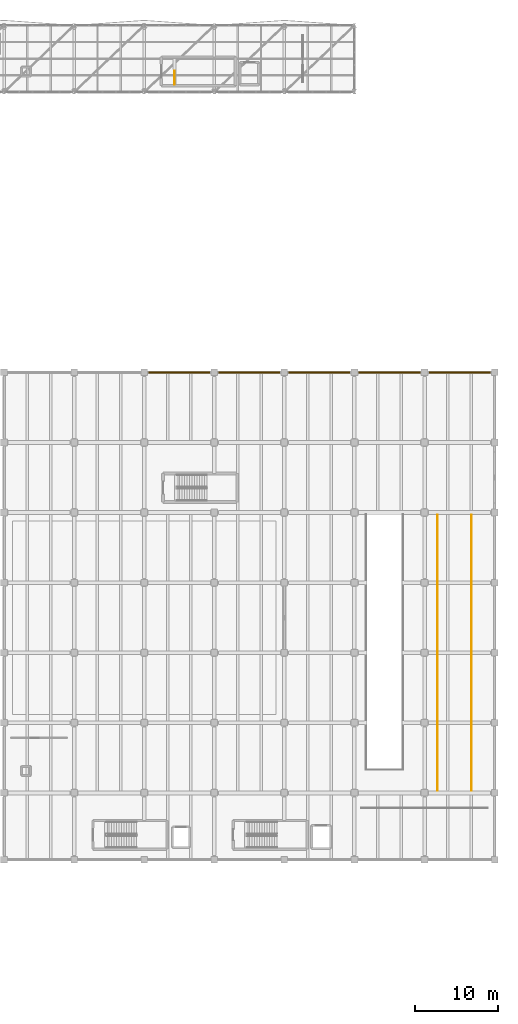
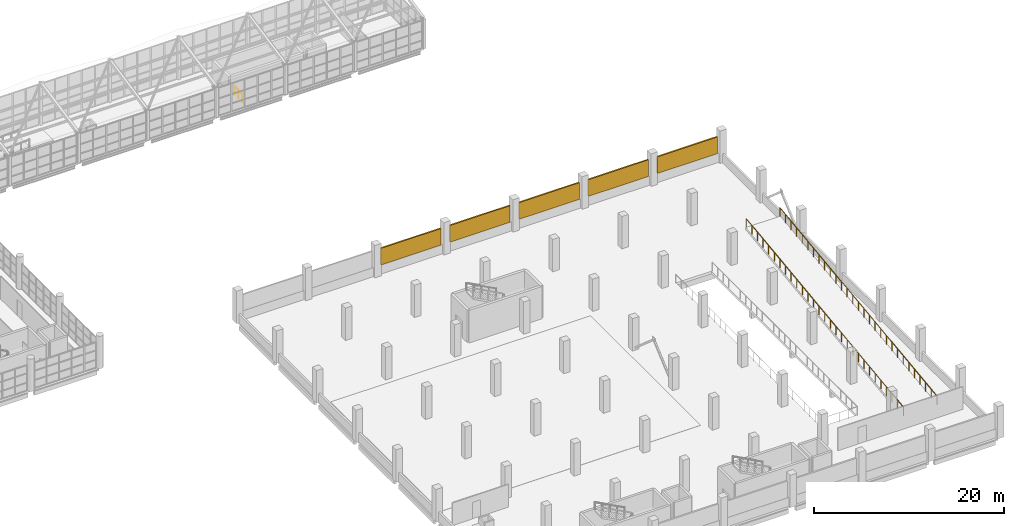
# One storey, part 177 of 177: 5 shading devices, 3 railings.
"""IFC4 building model written with IfcOpenShell, lengths in metres."""

from ifc_helpers import new_model, si_unit, direction, frame, origin, origin_2d, place, context, subcontext, project, spatial, rectangle, circle, extrude, material, type_object, element, save


model = new_model("IFC4")

# Units and contexts
model_context = context("Model", 3, precision=1e-05, world=origin(), true_north=direction((0.0, 1.0)))
body_context = subcontext(model_context, "Body", "Model", "MODEL_VIEW")
ifc_project = project(units=[si_unit("LENGTHUNIT", "METRE"), si_unit("AREAUNIT", "SQUARE_METRE"), si_unit("VOLUMEUNIT", "CUBIC_METRE"), si_unit("PLANEANGLEUNIT", "RADIAN"), si_unit("MASSUNIT", "GRAM", prefix="KILO"), si_unit("THERMODYNAMICTEMPERATUREUNIT", "KELVIN"), si_unit("POWERUNIT", "WATT")], contexts=[model_context])

# Site, building, storey
site_placement = place(None, origin())
site = spatial("IfcSite", under=ifc_project, at=site_placement, CompositionType="ELEMENT")
building_placement = place(site_placement, origin())
building = spatial("IfcBuilding", under=site, at=building_placement, Name="Mavoryth Pier Ferry Terminal", CompositionType="ELEMENT")
storey_placement = place(building_placement, frame((0.0, 0.0, 5.43994140625)))
storey = spatial("IfcBuildingStorey", under=building, at=storey_placement, Name="L01", CompositionType="ELEMENT", Elevation=5.43994140625)

# Railings
ifc_material_1 = material(Name="Galvanised Steel Vehicle-Deck Edge Guardrail", Category="steel")
railing_type_1 = type_object("IfcRailingType", Name="Guard-Deck-Heavy1140", PredefinedType="GUARDRAIL", material=ifc_material_1)
railing_1_placement = place(storey_placement, frame((165.239990234375, 22.260009765625, 0.0)))
element("IfcRailing", 1, at=railing_1_placement, inside=storey, type_object=railing_type_1, Name="Ramp VR02 Rail", PredefinedType="GUARDRAIL", context=body_context, shape_type="SweptSolid", body=[
    extrude(circle(Radius=0.02392578125, at=origin_2d()), frame((0.0, 0.0, 1.11572265625), z_axis=(0.0, 0.99218477062, 0.124777325466), x_axis=(-1.0, 0.0, 0.0)), (0.0, 0.0, 1.0), 33.340576171875),
    extrude(circle(Radius=0.02099609375, at=origin_2d()), origin(), (0.0, 0.0, 1.0), 1.091796875),
    extrude(circle(Radius=0.02099609375, at=origin_2d()), frame((0.0, 1.181396484375, 0.148681640625)), (0.0, 0.0, 1.0), 1.091796875),
    extrude(circle(Radius=0.02099609375, at=origin_2d()), frame((0.0, 2.36279296875, 0.297119140625)), (0.0, 0.0, 1.0), 1.091796875),
    extrude(circle(Radius=0.02099609375, at=origin_2d()), frame((0.0, 3.544189453125, 0.44580078125)), (0.0, 0.0, 1.0), 1.091796875),
    extrude(circle(Radius=0.02099609375, at=origin_2d()), frame((0.0, 4.725830078125, 0.59423828125)), (0.0, 0.0, 1.0), 1.091796875),
    extrude(circle(Radius=0.02099609375, at=origin_2d()), frame((0.0, 5.9072265625, 0.742919921875)), (0.0, 0.0, 1.0), 1.091796875),
    extrude(circle(Radius=0.02099609375, at=origin_2d()), frame((0.0, 7.088623046875, 0.891357421875)), (0.0, 0.0, 1.0), 1.091796875),
    extrude(circle(Radius=0.02099609375, at=origin_2d()), frame((0.0, 8.27001953125, 1.0400390625)), (0.0, 0.0, 1.0), 1.091796875),
    extrude(circle(Radius=0.02099609375, at=origin_2d()), frame((0.0, 9.451416015625, 1.188720703125)), (0.0, 0.0, 1.0), 1.091796875),
    extrude(circle(Radius=0.02099609375, at=origin_2d()), frame((0.0, 10.6328125, 1.337158203125)), (0.0, 0.0, 1.0), 1.091796875),
    extrude(circle(Radius=0.02099609375, at=origin_2d()), frame((0.0, 11.814208984375, 1.48583984375)), (0.0, 0.0, 1.0), 1.091796875),
    extrude(circle(Radius=0.02099609375, at=origin_2d()), frame((0.0, 12.995849609375, 1.63427734375)), (0.0, 0.0, 1.0), 1.091796875),
    extrude(circle(Radius=0.02099609375, at=origin_2d()), frame((0.0, 14.17724609375, 1.782958984375)), (0.0, 0.0, 1.0), 1.091796875),
    extrude(circle(Radius=0.02099609375, at=origin_2d()), frame((0.0, 15.358642578125, 1.931396484375)), (0.0, 0.0, 1.0), 1.091796875),
    extrude(circle(Radius=0.02099609375, at=origin_2d()), frame((0.0, 16.5400390625, 2.080078125)), (0.0, 0.0, 1.0), 1.091796875),
    extrude(circle(Radius=0.02099609375, at=origin_2d()), frame((0.0, 17.721435546875, 2.228759765625)), (0.0, 0.0, 1.0), 1.091796875),
    extrude(circle(Radius=0.02099609375, at=origin_2d()), frame((0.0, 18.90283203125, 2.377197265625)), (0.0, 0.0, 1.0), 1.091796875),
    extrude(circle(Radius=0.02099609375, at=origin_2d()), frame((0.0, 20.084228515625, 2.52587890625)), (0.0, 0.0, 1.0), 1.091796875),
    extrude(circle(Radius=0.02099609375, at=origin_2d()), frame((0.0, 21.265869140625, 2.67431640625)), (0.0, 0.0, 1.0), 1.091796875),
    extrude(circle(Radius=0.02099609375, at=origin_2d()), frame((0.0, 22.447265625, 2.822998046875)), (0.0, 0.0, 1.0), 1.091796875),
    extrude(circle(Radius=0.02099609375, at=origin_2d()), frame((0.0, 23.628662109375, 2.971435546875)), (0.0, 0.0, 1.0), 1.091796875),
    extrude(circle(Radius=0.02099609375, at=origin_2d()), frame((0.0, 24.81005859375, 3.1201171875)), (0.0, 0.0, 1.0), 1.091796875),
    extrude(circle(Radius=0.02099609375, at=origin_2d()), frame((0.0, 25.991455078125, 3.268798828125)), (0.0, 0.0, 1.0), 1.091796875),
    extrude(circle(Radius=0.02099609375, at=origin_2d()), frame((0.0, 27.1728515625, 3.417236328125)), (0.0, 0.0, 1.0), 1.091796875),
    extrude(circle(Radius=0.02099609375, at=origin_2d()), frame((0.0, 28.354248046875, 3.56591796875)), (0.0, 0.0, 1.0), 1.091796875),
    extrude(circle(Radius=0.02099609375, at=origin_2d()), frame((0.0, 29.535888671875, 3.71435546875)), (0.0, 0.0, 1.0), 1.091796875),
    extrude(circle(Radius=0.02099609375, at=origin_2d()), frame((0.0, 30.71728515625, 3.863037109375)), (0.0, 0.0, 1.0), 1.091796875),
    extrude(circle(Radius=0.02099609375, at=origin_2d()), frame((0.0, 31.898681640625, 4.011474609375)), (0.0, 0.0, 1.0), 1.091796875),
    extrude(circle(Radius=0.02099609375, at=origin_2d()), frame((0.0, 33.080078125, 4.16015625)), (0.0, 0.0, 1.0), 1.091796875),
])
railing_2_placement = place(storey_placement, frame((161.159912109375, 22.260009765625, 0.0)))
element("IfcRailing", 2, at=railing_2_placement, inside=storey, type_object=railing_type_1, Name="Ramp VR02 Rail", PredefinedType="GUARDRAIL", context=body_context, shape_type="SweptSolid", body=[
    extrude(circle(Radius=0.02392578125, at=origin_2d()), frame((0.0, 0.0, 1.11572265625), z_axis=(0.0, 0.99218477062, 0.124777325466), x_axis=(-1.0, 0.0, 0.0)), (0.0, 0.0, 1.0), 33.340576171875),
    extrude(circle(Radius=0.02099609375, at=origin_2d()), origin(), (0.0, 0.0, 1.0), 1.091796875),
    extrude(circle(Radius=0.02099609375, at=origin_2d()), frame((0.0, 1.181396484375, 0.148681640625)), (0.0, 0.0, 1.0), 1.091796875),
    extrude(circle(Radius=0.02099609375, at=origin_2d()), frame((0.0, 2.36279296875, 0.297119140625)), (0.0, 0.0, 1.0), 1.091796875),
    extrude(circle(Radius=0.02099609375, at=origin_2d()), frame((0.0, 3.544189453125, 0.44580078125)), (0.0, 0.0, 1.0), 1.091796875),
    extrude(circle(Radius=0.02099609375, at=origin_2d()), frame((0.0, 4.725830078125, 0.59423828125)), (0.0, 0.0, 1.0), 1.091796875),
    extrude(circle(Radius=0.02099609375, at=origin_2d()), frame((0.0, 5.9072265625, 0.742919921875)), (0.0, 0.0, 1.0), 1.091796875),
    extrude(circle(Radius=0.02099609375, at=origin_2d()), frame((0.0, 7.088623046875, 0.891357421875)), (0.0, 0.0, 1.0), 1.091796875),
    extrude(circle(Radius=0.02099609375, at=origin_2d()), frame((0.0, 8.27001953125, 1.0400390625)), (0.0, 0.0, 1.0), 1.091796875),
    extrude(circle(Radius=0.02099609375, at=origin_2d()), frame((0.0, 9.451416015625, 1.188720703125)), (0.0, 0.0, 1.0), 1.091796875),
    extrude(circle(Radius=0.02099609375, at=origin_2d()), frame((0.0, 10.6328125, 1.337158203125)), (0.0, 0.0, 1.0), 1.091796875),
    extrude(circle(Radius=0.02099609375, at=origin_2d()), frame((0.0, 11.814208984375, 1.48583984375)), (0.0, 0.0, 1.0), 1.091796875),
    extrude(circle(Radius=0.02099609375, at=origin_2d()), frame((0.0, 12.995849609375, 1.63427734375)), (0.0, 0.0, 1.0), 1.091796875),
    extrude(circle(Radius=0.02099609375, at=origin_2d()), frame((0.0, 14.17724609375, 1.782958984375)), (0.0, 0.0, 1.0), 1.091796875),
    extrude(circle(Radius=0.02099609375, at=origin_2d()), frame((0.0, 15.358642578125, 1.931396484375)), (0.0, 0.0, 1.0), 1.091796875),
    extrude(circle(Radius=0.02099609375, at=origin_2d()), frame((0.0, 16.5400390625, 2.080078125)), (0.0, 0.0, 1.0), 1.091796875),
    extrude(circle(Radius=0.02099609375, at=origin_2d()), frame((0.0, 17.721435546875, 2.228759765625)), (0.0, 0.0, 1.0), 1.091796875),
    extrude(circle(Radius=0.02099609375, at=origin_2d()), frame((0.0, 18.90283203125, 2.377197265625)), (0.0, 0.0, 1.0), 1.091796875),
    extrude(circle(Radius=0.02099609375, at=origin_2d()), frame((0.0, 20.084228515625, 2.52587890625)), (0.0, 0.0, 1.0), 1.091796875),
    extrude(circle(Radius=0.02099609375, at=origin_2d()), frame((0.0, 21.265869140625, 2.67431640625)), (0.0, 0.0, 1.0), 1.091796875),
    extrude(circle(Radius=0.02099609375, at=origin_2d()), frame((0.0, 22.447265625, 2.822998046875)), (0.0, 0.0, 1.0), 1.091796875),
    extrude(circle(Radius=0.02099609375, at=origin_2d()), frame((0.0, 23.628662109375, 2.971435546875)), (0.0, 0.0, 1.0), 1.091796875),
    extrude(circle(Radius=0.02099609375, at=origin_2d()), frame((0.0, 24.81005859375, 3.1201171875)), (0.0, 0.0, 1.0), 1.091796875),
    extrude(circle(Radius=0.02099609375, at=origin_2d()), frame((0.0, 25.991455078125, 3.268798828125)), (0.0, 0.0, 1.0), 1.091796875),
    extrude(circle(Radius=0.02099609375, at=origin_2d()), frame((0.0, 27.1728515625, 3.417236328125)), (0.0, 0.0, 1.0), 1.091796875),
    extrude(circle(Radius=0.02099609375, at=origin_2d()), frame((0.0, 28.354248046875, 3.56591796875)), (0.0, 0.0, 1.0), 1.091796875),
    extrude(circle(Radius=0.02099609375, at=origin_2d()), frame((0.0, 29.535888671875, 3.71435546875)), (0.0, 0.0, 1.0), 1.091796875),
    extrude(circle(Radius=0.02099609375, at=origin_2d()), frame((0.0, 30.71728515625, 3.863037109375)), (0.0, 0.0, 1.0), 1.091796875),
    extrude(circle(Radius=0.02099609375, at=origin_2d()), frame((0.0, 31.898681640625, 4.011474609375)), (0.0, 0.0, 1.0), 1.091796875),
    extrude(circle(Radius=0.02099609375, at=origin_2d()), frame((0.0, 33.080078125, 4.16015625)), (0.0, 0.0, 1.0), 1.091796875),
])
ifc_material_2 = material(Name="Painted Galvanised Steel Balustrade", Category="steel")
railing_type_2 = type_object("IfcRailingType", Name="Guard-Stair-Steel1100", PredefinedType="GUARDRAIL", material=ifc_material_2)
railing_3_placement = place(storey_placement, frame((129.64990234375, 106.89990234375, 0.0)))
element("IfcRailing", 3, at=railing_3_placement, inside=storey, type_object=railing_type_2, Name="L01 ST07 top well guard 1", PredefinedType="GUARDRAIL", context=body_context, shape_type="SweptSolid", body=[
    extrude(circle(Radius=0.02392578125, at=origin_2d()), frame((0.0, 0.0, 1.076171875), z_axis=(0.0, 1.0, 0.0), x_axis=(-1.0, 0.0, 0.0)), (0.0, 0.0, 1.0), 1.650146484375),
    extrude(circle(Radius=0.02099609375, at=origin_2d()), origin(), (0.0, 0.0, 1.0), 1.052001953125),
    extrude(circle(Radius=0.02099609375, at=origin_2d()), frame((0.0, 0.8251953125, 0.0)), (0.0, 0.0, 1.0), 1.052001953125),
    extrude(circle(Radius=0.02099609375, at=origin_2d()), frame((0.0, 1.650146484375, 0.0)), (0.0, 0.0, 1.0), 1.052001953125),
])

# Shading devices
ifc_material_3 = material(Name="Perforated Glazed Ceramic Solar Screen")
shading_device_type = type_object("IfcShadingDeviceType", Name="Screen-Ceramic-Bay7400x1900", PredefinedType="JALOUSIE", material=ifc_material_3)
for number, where, z_axis, x_axis, name in (
    (4, (130.199951171875, 72.39990234375, 1.14990234375), (0.0, 0.0, 1.0), (1.0, 0.0, 0.0), "Perforated Glazed Ceramic Solar Screen 6"),
    (5, (138.60009765625, 72.39990234375, 1.14990234375), (0.0, 0.0, 1.0), (1.0, 0.0, 0.0), "Perforated Glazed Ceramic Solar Screen 8"),
    (6, (147.0, 72.39990234375, 1.14990234375), (0.0, 0.0, 1.0), (1.0, 0.0, 0.0), "Perforated Glazed Ceramic Solar Screen 10"),
    (7, (155.39990234375, 72.39990234375, 1.14990234375), (0.0, 0.0, 1.0), (1.0, 0.0, 0.0), "Perforated Glazed Ceramic Solar Screen 12"),
    (8, (163.800048828125, 72.39990234375, 1.14990234375), (0.0, 0.0, 1.0), (1.0, 0.0, 0.0), "Perforated Glazed Ceramic Solar Screen 14"),
):
    element("IfcShadingDevice", number, at=place(storey_placement, frame(where, z_axis=z_axis, x_axis=x_axis)), inside=storey, type_object=shading_device_type, Name=name, PredefinedType="JALOUSIE", context=body_context, shape_type="SweptSolid", body=[
        extrude(rectangle(XDim=7.320068359375, YDim=0.179931640625, at=origin_2d()), origin(), (0.0, 0.0, 1.0), 2.135009765625),
    ])

save(model, "model.ifc")
